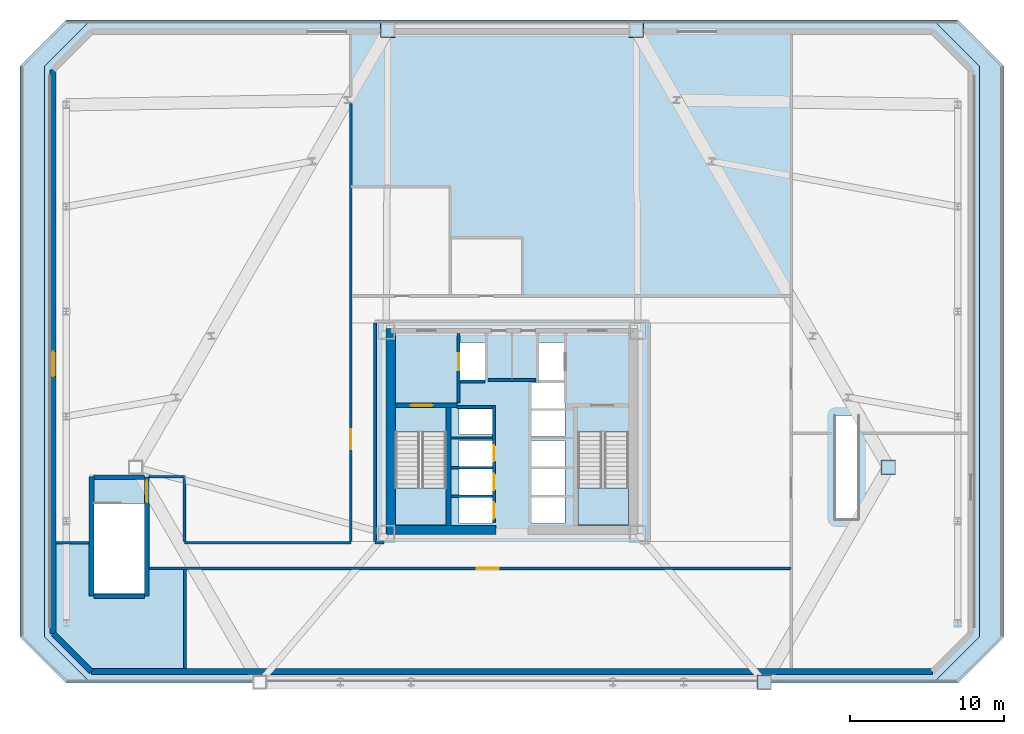
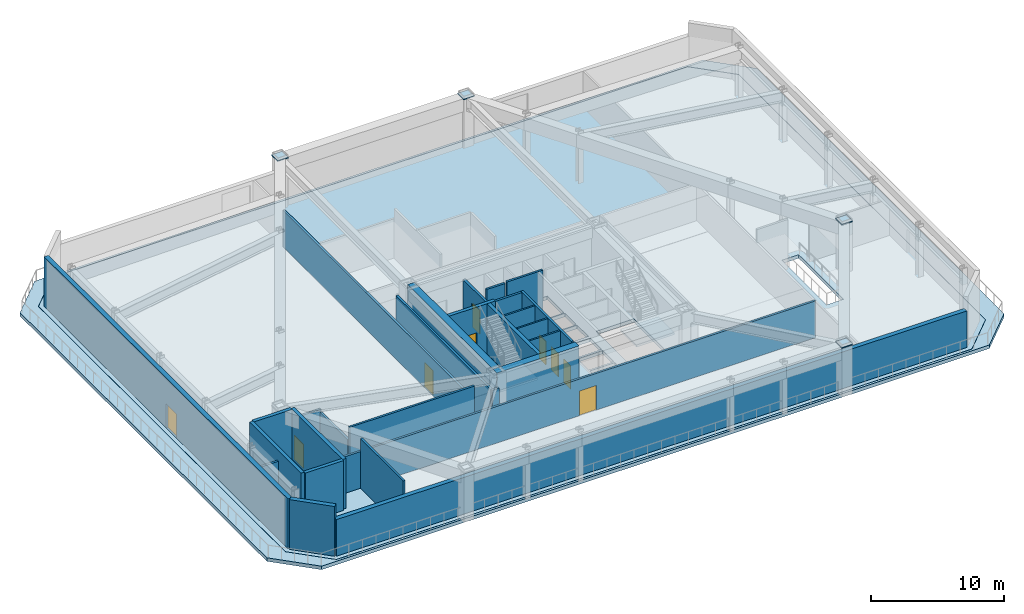
# One storey, part 2 of 10: 28 walls, 9 doors, 4 plates, 4 slabs, 9 openings, 2 elements without a shape of their own.
"""IFC4 building model written with IfcOpenShell, lengths in metres."""

from ifc_helpers import new_model, si_unit, direction, frame, frame_2d, origin, origin_2d, place, context, subcontext, project, spatial, polyline, rectangle, outline, extrude, material, layer, layer_set, type_object, element, fill, aggregate, save


model = new_model("IFC4")

# Units and contexts
model_context = context("Model", 3, precision=1e-05, world=origin(), true_north=direction((0.0, 1.0)))
body_context = subcontext(model_context, "Body", "Model", "MODEL_VIEW")
ifc_project = project(units=[si_unit("LENGTHUNIT", "METRE"), si_unit("AREAUNIT", "SQUARE_METRE"), si_unit("VOLUMEUNIT", "CUBIC_METRE"), si_unit("PLANEANGLEUNIT", "RADIAN"), si_unit("MASSUNIT", "GRAM", prefix="KILO")], contexts=[model_context])

# Site, building, storey
site_placement = place(None, origin())
site = spatial("IfcSite", under=ifc_project, at=site_placement, CompositionType="ELEMENT")
building_placement = place(site_placement, origin())
building = spatial("IfcBuilding", under=site, at=building_placement, Name="Oramaril Tower", CompositionType="ELEMENT")
storey_placement = place(building_placement, frame((0.0, 0.0, 22.5)))
storey = spatial("IfcBuildingStorey", under=building, at=storey_placement, Name="L05", CompositionType="ELEMENT", Elevation=22.5)

# Plates
ifc_material_1 = material(Name="Steel ASTM A572 Gr 50", Category="steel")
ifc_layer_1 = layer(ifc_material_1, 0.0849609375)
ifc_layer_set_1 = layer_set([ifc_layer_1], Name="PLT-C85")
plate_type = type_object("IfcPlateType", Name="PLT-C85", PredefinedType="USERDEFINED", material=ifc_layer_set_1)
for number, where, z_axis, x_axis, name in (
    (1, (53.862060546875, 1.360107421875, 4.47509765625), (0.0, 0.0, 1.0), (1.0, 0.0, 0.0), "L05 Column Cap Plate CP-03"),
    (2, (61.910400390625, 15.300048828125, 4.47509765625), (0.0, 0.0, 1.0), (1.0, 0.0, 0.0), "L05 Column Cap Plate CP-04"),
    (3, (45.548095703125, 43.639892578125, 4.47509765625), (0.0, 0.0, 1.0), (1.0, 0.0, 0.0), "L05 Column Cap Plate CP-05"),
    (4, (29.451904296875, 43.639892578125, 4.47509765625), (0.0, 0.0, 1.0), (1.0, 0.0, 0.0), "L05 Column Cap Plate CP-06"),
):
    element("IfcPlate", number, at=place(storey_placement, frame(where, z_axis=z_axis, x_axis=x_axis)), inside=storey, type_object=plate_type, Name=name, ObjectType="CAP", PredefinedType="USERDEFINED", context=body_context, shape_type="SweptSolid", body=[
        extrude(rectangle(XDim=0.93994140625, YDim=0.93994140625, at=origin_2d()), origin(), (0.0, 0.0, 1.0), 0.0849609375),
    ])

# Stair, slab
ifc_material_2 = material(Name="Concrete C50/60", Category="concrete")
stair_type = type_object("IfcStairType", Name="STT-DG-4800", PredefinedType="HALF_TURN_STAIR", material=ifc_material_2)
stair_1_placement = place(storey_placement, origin())
stair_1 = element("IfcStair", 5, at=stair_1_placement, inside=storey, type_object=stair_type, Name="L05 Protected PFP Exit Stair ST-1", PredefinedType="HALF_TURN_STAIR")
ifc_material_3 = material(Name="Concrete C50/60", Category="concrete")
ifc_layer_2 = layer(ifc_material_3, 0.199951171875)
ifc_layer_set_2 = layer_set([ifc_layer_2], Name="SLT-LND20")
slab_type_1 = type_object("IfcSlabType", Name="SLT-LND20", PredefinedType="LANDING", material=ifc_layer_set_2)
slab_1_placement = place(storey_placement, frame((0.0, 0.0, 2.199951171875)))
slab_1 = element("IfcSlab", 6, at=slab_1_placement, type_object=slab_type_1, Name="ST-1 landing 1", PredefinedType="LANDING", context=body_context, shape_type="SweptSolid", body=[
    extrude(outline(polyline([(29.949951171875, 13.949951171875), (29.949951171875, 11.550048828125), (33.219970703125, 11.550048828125), (33.219970703125, 13.949951171875), (29.949951171875, 13.949951171875)])), origin(), (0.0, 0.0, 1.0), 0.199951171875),
])
aggregate(stair_1, [slab_1])

stair_2_placement = place(storey_placement, origin())
stair_2 = element("IfcStair", 7, at=stair_2_placement, inside=storey, type_object=stair_type, Name="L05 Protected PFP Exit Stair ST-2", PredefinedType="HALF_TURN_STAIR")
slab_2_placement = place(storey_placement, frame((0.0, 0.0, 2.199951171875)))
slab_2 = element("IfcSlab", 8, at=slab_2_placement, type_object=slab_type_1, Name="ST-2 landing 1", PredefinedType="LANDING", context=body_context, shape_type="SweptSolid", body=[
    extrude(outline(polyline([(41.780029296875, 13.949951171875), (41.780029296875, 11.550048828125), (45.050048828125, 11.550048828125), (45.050048828125, 13.949951171875), (41.780029296875, 13.949951171875)])), origin(), (0.0, 0.0, 1.0), 0.199951171875),
])
aggregate(stair_2, [slab_2])

# Slabs
ifc_material_4 = material(Name="Concrete C50/60", Category="concrete")
ifc_layer_3 = layer(ifc_material_4, 0.320068359375)
ifc_layer_set_3 = layer_set([ifc_layer_3], Name="SLT-POD32")
slab_type_2 = type_object("IfcSlabType", Name="SLT-POD32", PredefinedType="FLOOR", material=ifc_layer_set_3)
slab_3_placement = place(storey_placement, frame((0.0, 0.0, -0.320068359375)))
element("IfcSlab", 9, at=slab_3_placement, inside=storey, type_object=slab_type_2, Name="L05 Structural Floor Slab", PredefinedType="FLOOR", context=body_context, shape_type="SweptSolid", body=[
    extrude(outline(polyline([(10.0, 1.5), (65.0, 1.5), (67.800048828125, 4.300048828125), (67.800048828125, 41.300048828125), (65.0, 44.10009765625), (10.0, 44.10009765625), (7.199951171875, 41.300048828125), (7.199951171875, 4.300048828125), (10.0, 1.5)]), holes=[polyline([(29.949951171875, 17.58935546875), (29.949951171875, 11.550048828125), (33.219970703125, 11.550048828125), (33.219970703125, 17.58935546875), (29.949951171875, 17.58935546875)]), polyline([(41.780029296875, 17.58935546875), (41.780029296875, 11.550048828125), (45.050048828125, 11.550048828125), (45.050048828125, 17.58935546875), (41.780029296875, 17.58935546875)]), polyline([(10.39990234375, 12.939453125), (10.39990234375, 7.10009765625), (13.669921875, 7.10009765625), (13.669921875, 12.939453125), (10.39990234375, 12.939453125)]), polyline([(58.47509765625, 11.949951171875), (59.925048828125, 11.949951171875), (59.925048828125, 18.66943359375), (58.47509765625, 18.66943359375), (58.47509765625, 11.949951171875)]), polyline([(34.110107421875, 20.909912109375), (35.7900390625, 20.909912109375), (35.7900390625, 23.389892578125), (34.110107421875, 23.389892578125), (34.110107421875, 20.909912109375)]), polyline([(39.2099609375, 20.909912109375), (40.889892578125, 20.909912109375), (40.889892578125, 23.389892578125), (39.2099609375, 23.389892578125), (39.2099609375, 20.909912109375)]), polyline([(34.06005859375, 11.659912109375), (36.239990234375, 11.659912109375), (36.239990234375, 13.340087890625), (34.06005859375, 13.340087890625), (34.06005859375, 11.659912109375)]), polyline([(34.06005859375, 13.510009765625), (36.239990234375, 13.510009765625), (36.239990234375, 15.18994140625), (34.06005859375, 15.18994140625), (34.06005859375, 13.510009765625)]), polyline([(34.06005859375, 15.360107421875), (36.239990234375, 15.360107421875), (36.239990234375, 17.0400390625), (34.06005859375, 17.0400390625), (34.06005859375, 15.360107421875)]), polyline([(38.760009765625, 11.659912109375), (40.93994140625, 11.659912109375), (40.93994140625, 13.340087890625), (38.760009765625, 13.340087890625), (38.760009765625, 11.659912109375)]), polyline([(38.760009765625, 13.510009765625), (40.93994140625, 13.510009765625), (40.93994140625, 15.18994140625), (38.760009765625, 15.18994140625), (38.760009765625, 13.510009765625)]), polyline([(38.760009765625, 15.360107421875), (40.93994140625, 15.360107421875), (40.93994140625, 17.0400390625), (38.760009765625, 17.0400390625), (38.760009765625, 15.360107421875)]), polyline([(34.06005859375, 17.409912109375), (36.239990234375, 17.409912109375), (36.239990234375, 19.090087890625), (34.06005859375, 19.090087890625), (34.06005859375, 17.409912109375)]), polyline([(38.760009765625, 17.31005859375), (40.93994140625, 17.31005859375), (40.93994140625, 18.989990234375), (38.760009765625, 18.989990234375), (38.760009765625, 17.31005859375)]), polyline([(38.760009765625, 19.110107421875), (40.93994140625, 19.110107421875), (40.93994140625, 20.7900390625), (38.760009765625, 20.7900390625), (38.760009765625, 19.110107421875)])]), origin(), (0.0, 0.0, 1.0), 0.320068359375),
])
ifc_material_5 = material(Name="Concrete C40/50", Category="concrete")
ifc_layer_4 = layer(ifc_material_5, 0.2099609375)
ifc_layer_set_4 = layer_set([ifc_layer_4], Name="SLT-TER21")
slab_type_3 = type_object("IfcSlabType", Name="SLT-TER21", PredefinedType="FLOOR", material=ifc_layer_set_4)
slab_4_placement = place(storey_placement, frame((0.0, 0.0, -0.320068359375)))
element("IfcSlab", 10, at=slab_4_placement, inside=storey, type_object=slab_type_3, Name="L05 Landscaped Podium Roof Terrace Deck 1", PredefinedType="FLOOR", context=body_context, shape_type="SweptSolid", body=[
    extrude(outline(polyline([(5.60009765625, 4.300048828125), (5.60009765625, 41.300048828125), (8.60009765625, 44.300048828125), (66.39990234375, 44.300048828125), (69.39990234375, 41.300048828125), (69.39990234375, 4.300048828125), (66.39990234375, 1.300048828125), (8.60009765625, 1.300048828125), (5.60009765625, 4.300048828125)]), holes=[polyline([(65.002197265625, 1.4951171875), (67.804931640625, 4.2978515625), (67.804931640625, 41.302001953125), (65.002197265625, 44.10498046875), (9.997802734375, 44.10498046875), (7.195068359375, 41.302001953125), (7.195068359375, 4.2978515625), (9.997802734375, 1.4951171875), (65.002197265625, 1.4951171875)])]), origin(), (0.0, 0.0, 1.0), 0.320068359375),
])

# Wall
ifc_material_6 = material(Name="Warm Cream Limestone", Category="masonry")
ifc_layer_5 = layer(ifc_material_6, 0.3798828125)
ifc_layer_set_5 = layer_set([ifc_layer_5], Name="WT-EXT38")
wall_type_1 = type_object("IfcWallType", Name="WT-EXT38", PredefinedType="SOLIDWALL", material=ifc_layer_set_5)
wall_1_placement = place(storey_placement, frame((10.227783203125, 2.050048828125, 0.0), z_axis=(0.0, 0.0, 1.0), x_axis=(1.0, 0.0, 0.0)))
element("IfcWall", 11, at=wall_1_placement, inside=storey, type_object=wall_type_1, Name="L05 Limestone Facade Wall EW-1M", PredefinedType="SOLIDWALL", context=body_context, shape_type="SweptSolid", body=[
    extrude(rectangle(XDim=54.54443359375, YDim=0.3798828125, at=frame_2d((27.272216796875, 0.0))), origin(), (0.0, 0.0, 1.0), 3.35009765625),
])

# Wall, opening, door
wall_2_placement = place(storey_placement, frame((7.75, 41.072265625, 0.0), z_axis=(0.0, 0.0, 1.0), x_axis=(0.0, -1.0, 0.0)))
wall_2 = element("IfcWall", 12, at=wall_2_placement, inside=storey, type_object=wall_type_1, Name="L05 Limestone Facade Wall EW-7M", PredefinedType="SOLIDWALL", context=body_context, shape_type="SweptSolid", body=[
    extrude(rectangle(XDim=36.54443359375, YDim=0.3798828125, at=frame_2d((18.272216796875, 0.0))), origin(), (0.0, 0.0, 1.0), 4.56005859375),
])
opening_1_placement = place(wall_2_placement, frame((18.272216796875, 0.0, 0.0)))
opening_1 = element("IfcOpeningElement", 13, at=opening_1_placement, cuts=wall_2, Name="Opening D-L05-T1", PredefinedType="OPENING", context=body_context, shape_type="SweptSolid", body=[
    extrude(rectangle(XDim=1.60009765625, YDim=2.199951171875, at=frame_2d((0.800048828125, 1.10009765625))), frame((0.0, 0.18994140625, 0.0), z_axis=(0.0, -1.0, 0.0), x_axis=(1.0, 0.0, 0.0)), (0.0, 0.0, 1.0), 0.3798828125),
])
ifc_material_7 = material(Name="Anodised Aluminium 6063-T6", Category="aluminium")
door_type_1 = type_object("IfcDoorType", Name="DT-TER", OperationType="NOTDEFINED", PredefinedType="DOOR", material=ifc_material_7)
door_1_placement = place(opening_1_placement, origin())
door_1 = element("IfcDoor", 14, at=door_1_placement, inside=storey, type_object=door_type_1, Name="L05 Podium Terrace Access Door 1", OperationType="SINGLE_SWING_LEFT", OverallHeight=2.199951171875, OverallWidth=1.60009765625, PredefinedType="DOOR", context=body_context, shape_type="SweptSolid", body=[
    extrude(rectangle(XDim=1.60009765625, YDim=2.199951171875, at=frame_2d((0.800048828125, 1.10009765625))), frame((0.0, 0.02490234375, 0.0), z_axis=(0.0, -1.0, 0.0), x_axis=(1.0, 0.0, 0.0)), (0.0, 0.0, 1.0), 0.050048828125),
])
fill(opening_1, door_1)

# Walls
wall_3_placement = place(storey_placement, frame((7.75, 4.52783203125, 0.0), z_axis=(0.0, 0.0, 1.0), x_axis=(0.707106781187, -0.707106781187, 0.0)))
element("IfcWall", 15, at=wall_3_placement, inside=storey, type_object=wall_type_1, Name="L05 Limestone Facade Wall EW-8M", PredefinedType="SOLIDWALL", context=body_context, shape_type="SweptSolid", body=[
    extrude(rectangle(XDim=3.504150390625, YDim=0.3798828125, at=frame_2d((1.751953125, 0.0))), origin(), (0.0, 0.0, 1.0), 4.56005859375),
])
ifc_material_8 = material(Name="Acoustic Gypsum Board Partition")
ifc_layer_6 = layer(ifc_material_8, 0.139892578125)
ifc_layer_set_6 = layer_set([ifc_layer_6], Name="WT-PT14")
wall_type_2 = type_object("IfcWallType", Name="WT-PT14", PredefinedType="PARTITIONING", material=ifc_layer_set_6)
for number, where, z_axis, x_axis, name in (
    (16, (33.56005859375, 13.419921875, 0.0), (0.0, 0.0, 1.0), (1.0, 0.0, 0.0), "L05 West Lift Divider"),
    (17, (33.56005859375, 15.27001953125, 0.0), (0.0, 0.0, 1.0), (1.0, 0.0, 0.0), "L05 West Lift Divider"),
    (18, (33.56005859375, 17.199951171875, 0.0), (0.0, 0.0, 1.0), (1.0, 0.0, 0.0), "L05 West Lift Divider"),
):
    element("IfcWall", number, at=place(storey_placement, frame(where, z_axis=z_axis, x_axis=x_axis)), inside=storey, type_object=wall_type_2, Name=name, PredefinedType="PARTITIONING", context=body_context, shape_type="SweptSolid", body=[
        extrude(rectangle(XDim=2.659912109375, YDim=0.139892578125, at=frame_2d((1.330078125, 0.0))), origin(), (0.0, 0.0, 1.0), 4.56005859375),
    ])
ifc_material_9 = material(Name="Autoclaved Cellular Concrete Block", Category="concrete")
ifc_layer_7 = layer(ifc_material_9, 0.179931640625)
ifc_layer_set_7 = layer_set([ifc_layer_7], Name="WT-PT18")
wall_type_3 = type_object("IfcWallType", Name="WT-PT18", PredefinedType="PARTITIONING", material=ifc_layer_set_7)
wall_4_placement = place(storey_placement, frame((34.159912109375, 20.860107421875, 0.0), z_axis=(0.0, 0.0, 1.0), x_axis=(1.0, 0.0, 0.0)))
element("IfcWall", 19, at=wall_4_placement, inside=storey, type_object=wall_type_3, Name="L05 FL-1 South Shaft Wall", PredefinedType="PARTITIONING", context=body_context, shape_type="SweptSolid", body=[
    extrude(rectangle(XDim=1.580078125, YDim=0.179931640625, at=frame_2d((0.7900390625, 0.0))), origin(), (0.0, 0.0, 1.0), 4.56005859375),
])
wall_5_placement = place(storey_placement, frame((33.949951171875, 19.199951171875, 0.0), z_axis=(0.0, 0.0, 1.0), x_axis=(1.0, 0.0, 0.0)))
element("IfcWall", 20, at=wall_5_placement, inside=storey, type_object=wall_type_3, Name="L05 High-Rise Lift H1 North Shaft Wall", PredefinedType="PARTITIONING", context=body_context, shape_type="SweptSolid", body=[
    extrude(rectangle(XDim=2.27001953125, YDim=0.179931640625, at=frame_2d((1.135009765625, 0.0))), origin(), (0.0, 0.0, 1.0), 4.56005859375),
])
wall_6_placement = place(storey_placement, frame((35.949951171875, 20.949951171875, 0.0), z_axis=(0.0, 0.0, 1.0), x_axis=(1.0, 0.0, 0.0)))
element("IfcWall", 21, at=wall_6_placement, inside=storey, type_object=wall_type_3, Name="L05 Lift Lobby North Partition", PredefinedType="PARTITIONING", context=body_context, shape_type="SweptSolid", body=[
    extrude(rectangle(XDim=3.10009765625, YDim=0.179931640625, at=frame_2d((1.550048828125, 0.0))), origin(), (0.0, 0.0, 1.0), 4.56005859375),
])

# Wall, opening, door
wall_7_placement = place(storey_placement, frame((13.989990234375, 8.75, 0.0), z_axis=(0.0, 0.0, 1.0), x_axis=(1.0, 0.0, 0.0)))
wall_7 = element("IfcWall", 22, at=wall_7_placement, inside=storey, type_object=wall_type_3, Name="L05 Interior Partition PT-18", PredefinedType="PARTITIONING", context=body_context, shape_type="SweptSolid", body=[
    extrude(rectangle(XDim=41.610107421875, YDim=0.179931640625, at=frame_2d((20.80517578125, 0.0))), origin(), (0.0, 0.0, 1.0), 3.35009765625),
])
opening_2_placement = place(wall_7_placement, frame((21.208984375, 0.0, 0.0)))
opening_2 = element("IfcOpeningElement", 23, at=opening_2_placement, cuts=wall_7, Name="Opening D-L05-01", PredefinedType="OPENING", context=body_context, shape_type="SweptSolid", body=[
    extrude(rectangle(XDim=1.449951171875, YDim=2.25, at=frame_2d((0.72509765625, 1.125))), frame((0.0, 0.08984375, 0.0), z_axis=(0.0, -1.0, 0.0), x_axis=(1.0, 0.0, 0.0)), (0.0, 0.0, 1.0), 0.179931640625),
])
ifc_material_10 = material(Name="Painted Galvanised Steel", Category="steel")
door_type_2 = type_object("IfcDoorType", Name="DT-PLT", OperationType="NOTDEFINED", PredefinedType="DOOR", material=ifc_material_10)
door_2_placement = place(opening_2_placement, origin())
door_2 = element("IfcDoor", 24, at=door_2_placement, inside=storey, type_object=door_type_2, Name="L05 L05 Transfer Mechanical Plant Room Door D-L05-01", OperationType="SINGLE_SWING_LEFT", OverallHeight=2.25, OverallWidth=1.449951171875, PredefinedType="DOOR", context=body_context, shape_type="SweptSolid", body=[
    extrude(rectangle(XDim=1.449951171875, YDim=2.25, at=frame_2d((0.72509765625, 1.125))), frame((0.0, 0.02490234375, 0.0), z_axis=(0.0, -1.0, 0.0), x_axis=(1.0, 0.0, 0.0)), (0.0, 0.0, 1.0), 0.050048828125),
])
fill(opening_2, door_2)

# Walls
wall_8_placement = place(storey_placement, frame((7.944091796875, 10.39990234375, 0.0), z_axis=(0.0, 0.0, 1.0), x_axis=(1.0, 0.0, 0.0)))
element("IfcWall", 25, at=wall_8_placement, inside=storey, type_object=wall_type_3, Name="L05 Interior Partition PT-18", PredefinedType="PARTITIONING", context=body_context, shape_type="SweptSolid", body=[
    extrude(rectangle(XDim=2.135986328125, YDim=0.179931640625, at=frame_2d((1.06787109375, 0.0))), origin(), (0.0, 0.0, 1.0), 3.623046875),
])
wall_9_placement = place(storey_placement, frame((16.25, 10.39990234375, 0.0), z_axis=(0.0, 0.0, 1.0), x_axis=(1.0, 0.0, 0.0)))
element("IfcWall", 26, at=wall_9_placement, inside=storey, type_object=wall_type_3, Name="L05 Interior Partition PT-18", PredefinedType="PARTITIONING", context=body_context, shape_type="SweptSolid", body=[
    extrude(rectangle(XDim=10.800048828125, YDim=0.179931640625, at=frame_2d((5.39990234375, 0.0))), origin(), (0.0, 0.0, 1.0), 4.56005859375),
])
wall_10_placement = place(storey_placement, frame((28.6201171875, 10.39990234375, 0.0), z_axis=(0.0, 0.0, 1.0), x_axis=(1.0, 0.0, 0.0)))
element("IfcWall", 27, at=wall_10_placement, inside=storey, type_object=wall_type_3, Name="L05 Interior Partition PT-18", PredefinedType="PARTITIONING", context=body_context, shape_type="SweptSolid", body=[
    extrude(rectangle(XDim=0.579833984375, YDim=0.179931640625, at=frame_2d((0.2900390625, 0.0))), origin(), (0.0, 0.0, 1.0), 3.623046875),
])
wall_11_placement = place(storey_placement, frame((13.989990234375, 14.679931640625, 0.0), z_axis=(0.0, 0.0, 1.0), x_axis=(1.0, 0.0, 0.0)))
element("IfcWall", 28, at=wall_11_placement, inside=storey, type_object=wall_type_3, Name="L05 Interior Partition PT-18", PredefinedType="PARTITIONING", context=body_context, shape_type="SweptSolid", body=[
    extrude(rectangle(XDim=2.260009765625, YDim=0.179931640625, at=frame_2d((1.1298828125, 0.0))), origin(), (0.0, 0.0, 1.0), 3.623046875),
])
wall_12_placement = place(storey_placement, frame((16.25, 10.493896484375, 0.0), z_axis=(0.0, 0.0, 1.0), x_axis=(0.0, 1.0, 0.0)))
element("IfcWall", 29, at=wall_12_placement, inside=storey, type_object=wall_type_3, Name="L05 Interior Partition PT-18", PredefinedType="PARTITIONING", context=body_context, shape_type="SweptSolid", body=[
    extrude(rectangle(XDim=4.092041015625, YDim=0.179931640625, at=frame_2d((2.0458984375, 0.0))), origin(), (0.0, 0.0, 1.0), 3.35009765625),
])
wall_13_placement = place(storey_placement, frame((16.300048828125, 2.243896484375, 0.0), z_axis=(0.0, 0.0, 1.0), x_axis=(0.0, 1.0, 0.0)))
element("IfcWall", 30, at=wall_13_placement, inside=storey, type_object=wall_type_3, Name="L05 Interior Partition PT-18", PredefinedType="PARTITIONING", context=body_context, shape_type="SweptSolid", body=[
    extrude(rectangle(XDim=6.412109375, YDim=0.179931640625, at=frame_2d((3.2060546875, 0.0))), origin(), (0.0, 0.0, 1.0), 4.56005859375),
])

# Wall, opening, door
wall_14_placement = place(storey_placement, frame((27.050048828125, 10.493896484375, 0.0), z_axis=(0.0, 0.0, 1.0), x_axis=(0.0, 1.0, 0.0)))
wall_14 = element("IfcWall", 31, at=wall_14_placement, inside=storey, type_object=wall_type_3, Name="L05 Interior Partition PT-18", PredefinedType="PARTITIONING", context=body_context, shape_type="SweptSolid", body=[
    extrude(rectangle(XDim=28.3857421875, YDim=0.179931640625, at=frame_2d((14.19287109375, 0.0))), origin(), (0.0, 0.0, 1.0), 3.35009765625),
])
opening_3_placement = place(wall_14_placement, frame((5.9853515625, 0.0, 0.0)))
opening_3 = element("IfcOpeningElement", 32, at=opening_3_placement, cuts=wall_14, Name="Opening D-L05-04", PredefinedType="OPENING", context=body_context, shape_type="SweptSolid", body=[
    extrude(rectangle(XDim=1.300048828125, YDim=2.199951171875, at=frame_2d((0.64990234375, 1.10009765625))), frame((0.0, 0.08984375, 0.0), z_axis=(0.0, -1.0, 0.0), x_axis=(1.0, 0.0, 0.0)), (0.0, 0.0, 1.0), 0.179931640625),
])
ifc_material_11 = material(Name="FSC Brazilian Freijo Hardwood", Category="wood")
door_type_3 = type_object("IfcDoorType", Name="DT-COM", OperationType="NOTDEFINED", PredefinedType="DOOR", material=ifc_material_11)
door_3_placement = place(opening_3_placement, origin())
door_3 = element("IfcDoor", 33, at=door_3_placement, inside=storey, type_object=door_type_3, Name="L05 L05 Podium Roof Terrace Club Lounge Door D-L05-04", OperationType="SINGLE_SWING_RIGHT", OverallHeight=2.199951171875, OverallWidth=1.300048828125, PredefinedType="DOOR", context=body_context, shape_type="SweptSolid", body=[
    extrude(rectangle(XDim=1.300048828125, YDim=2.199951171875, at=frame_2d((0.64990234375, 1.10009765625))), frame((0.0, 0.02490234375, 0.0), z_axis=(0.0, -1.0, 0.0), x_axis=(1.0, 0.0, 0.0)), (0.0, 0.0, 1.0), 0.050048828125),
])
fill(opening_3, door_3)

# Wall
wall_15_placement = place(storey_placement, frame((28.6201171875, 10.493896484375, 0.0), z_axis=(0.0, 0.0, 1.0), x_axis=(0.0, 1.0, 0.0)))
element("IfcWall", 34, at=wall_15_placement, inside=storey, type_object=wall_type_3, Name="L05 Interior Partition PT-18", PredefinedType="PARTITIONING", context=body_context, shape_type="SweptSolid", body=[
    extrude(rectangle(XDim=14.162109375, YDim=0.179931640625, at=frame_2d((7.0810546875, 0.0))), origin(), (0.0, 0.0, 1.0), 3.623046875),
])

# Wall, opening, door
ifc_material_12 = material(Name="Concrete C50/60", Category="concrete")
ifc_layer_8 = layer(ifc_material_12, 0.300048828125)
ifc_layer_set_8 = layer_set([ifc_layer_8], Name="WT-SH30")
wall_type_4 = type_object("IfcWallType", Name="WT-SH30", PredefinedType="SHEAR", material=ifc_layer_set_8)
wall_16_placement = place(storey_placement, frame((29.93994140625, 19.31005859375, 0.0), z_axis=(0.0, 0.0, 1.0), x_axis=(1.0, 0.0, 0.0)))
wall_16 = element("IfcWall", 35, at=wall_16_placement, inside=storey, type_object=wall_type_4, Name="L05 Core Shear Wall CW-ST1N", PredefinedType="SHEAR", context=body_context, shape_type="SweptSolid", body=[
    extrude(rectangle(XDim=4.010009765625, YDim=0.300048828125, at=frame_2d((2.0048828125, 0.0))), origin(), (0.0, 0.0, 1.0), 4.56005859375),
])
opening_4_placement = place(wall_16_placement, frame((1.010009765625, 0.0, 0.0)))
opening_4 = element("IfcOpeningElement", 36, at=opening_4_placement, cuts=wall_16, Name="Opening D-L05-ST1", PredefinedType="OPENING", context=body_context, shape_type="SweptSolid", body=[
    extrude(rectangle(XDim=1.39990234375, YDim=2.199951171875, at=frame_2d((0.699951171875, 1.10009765625))), frame((0.0, 0.14990234375, 0.0), z_axis=(0.0, -1.0, 0.0), x_axis=(1.0, 0.0, 0.0)), (0.0, 0.0, 1.0), 0.300048828125),
])
ifc_material_13 = material(Name="Painted Galvanised Steel", Category="steel")
door_type_4 = type_object("IfcDoorType", Name="DT-ST", OperationType="NOTDEFINED", PredefinedType="DOOR", material=ifc_material_13)
door_4_placement = place(opening_4_placement, origin())
door_4 = element("IfcDoor", 37, at=door_4_placement, inside=storey, type_object=door_type_4, Name="L05 Protected Stair ST-1 Fire Door", OperationType="SINGLE_SWING_LEFT", OverallHeight=2.199951171875, OverallWidth=1.39990234375, PredefinedType="DOOR", context=body_context, shape_type="SweptSolid", body=[
    extrude(rectangle(XDim=1.39990234375, YDim=2.199951171875, at=frame_2d((0.699951171875, 1.10009765625))), frame((0.0, 0.02490234375, 0.0), z_axis=(0.0, -1.0, 0.0), x_axis=(1.0, 0.0, 0.0)), (0.0, 0.0, 1.0), 0.050048828125),
])
fill(opening_4, door_4)

# Walls
wall_17_placement = place(storey_placement, frame((33.3798828125, 11.5400390625, 0.0), z_axis=(0.0, 0.0, 1.0), x_axis=(0.0, 1.0, 0.0)))
element("IfcWall", 38, at=wall_17_placement, inside=storey, type_object=wall_type_4, Name="L05 Core Shear Wall CW-ST1E", PredefinedType="SHEAR", context=body_context, shape_type="SweptSolid", body=[
    extrude(rectangle(XDim=7.619873046875, YDim=0.300048828125, at=frame_2d((3.81005859375, 0.0))), origin(), (0.0, 0.0, 1.0), 4.56005859375),
])
wall_18_placement = place(storey_placement, frame((10.239990234375, 6.93994140625, 0.0), z_axis=(0.0, 0.0, 1.0), x_axis=(0.0, 1.0, 0.0)))
element("IfcWall", 39, at=wall_18_placement, inside=storey, type_object=wall_type_4, Name="L05 Stair ST-3 Shear Wall ST3W", PredefinedType="SHEAR", context=body_context, shape_type="SweptSolid", body=[
    extrude(rectangle(XDim=7.719970703125, YDim=0.300048828125, at=frame_2d((3.85986328125, 0.0))), origin(), (0.0, 0.0, 1.0), 4.56005859375),
])

# Wall, opening, door
wall_19_placement = place(storey_placement, frame((13.830078125, 6.93994140625, 0.0), z_axis=(0.0, 0.0, 1.0), x_axis=(0.0, 1.0, 0.0)))
wall_19 = element("IfcWall", 40, at=wall_19_placement, inside=storey, type_object=wall_type_4, Name="L05 Stair ST-3 Shear Wall ST3E", PredefinedType="SHEAR", context=body_context, shape_type="SweptSolid", body=[
    extrude(rectangle(XDim=7.719970703125, YDim=0.300048828125, at=frame_2d((3.85986328125, 0.0))), origin(), (0.0, 0.0, 1.0), 4.56005859375),
])
opening_5_placement = place(wall_19_placement, frame((6.080078125, 0.0, 0.0)))
opening_5 = element("IfcOpeningElement", 41, at=opening_5_placement, cuts=wall_19, Name="Opening D-L05-ST3", PredefinedType="OPENING", context=body_context, shape_type="SweptSolid", body=[
    extrude(rectangle(XDim=1.39990234375, YDim=2.199951171875, at=frame_2d((0.699951171875, 1.10009765625))), frame((0.0, 0.14990234375, 0.0), z_axis=(0.0, -1.0, 0.0), x_axis=(1.0, 0.0, 0.0)), (0.0, 0.0, 1.0), 0.300048828125),
])
door_5_placement = place(opening_5_placement, origin())
door_5 = element("IfcDoor", 42, at=door_5_placement, inside=storey, type_object=door_type_4, Name="L05 Stair ST-3 Protected Door", OperationType="SINGLE_SWING_RIGHT", OverallHeight=2.199951171875, OverallWidth=1.39990234375, PredefinedType="DOOR", context=body_context, shape_type="SweptSolid", body=[
    extrude(rectangle(XDim=1.39990234375, YDim=2.199951171875, at=frame_2d((0.699951171875, 1.10009765625))), frame((0.0, 0.02490234375, 0.0), z_axis=(0.0, -1.0, 0.0), x_axis=(1.0, 0.0, 0.0)), (0.0, 0.0, 1.0), 0.050048828125),
])
fill(opening_5, door_5)

# Walls
for number, where, z_axis, x_axis, name in (
    (43, (10.389892578125, 6.93994140625, 0.0), (0.0, 0.0, 1.0), (1.0, 0.0, 0.0), "L05 Stair ST-3 Shear Wall ST3S"),
    (44, (10.389892578125, 14.659912109375, 0.0), (0.0, 0.0, 1.0), (1.0, 0.0, 0.0), "L05 Stair ST-3 Shear Wall ST3N"),
):
    element("IfcWall", number, at=place(storey_placement, frame(where, z_axis=z_axis, x_axis=x_axis)), inside=storey, type_object=wall_type_4, Name=name, PredefinedType="SHEAR", context=body_context, shape_type="SweptSolid", body=[
        extrude(rectangle(XDim=3.2900390625, YDim=0.300048828125, at=frame_2d((1.64501953125, 0.0))), origin(), (0.0, 0.0, 1.0), 4.56005859375),
    ])
ifc_material_14 = material(Name="Concrete C50/60", Category="concrete")
ifc_layer_9 = layer(ifc_material_14, 0.60009765625)
ifc_layer_set_9 = layer_set([ifc_layer_9], Name="WT-SH60")
wall_type_5 = type_object("IfcWallType", Name="WT-SH60", PredefinedType="SHEAR", material=ifc_layer_set_9)
wall_20_placement = place(storey_placement, frame((29.639892578125, 11.0, 0.0), z_axis=(0.0, 0.0, 1.0), x_axis=(0.0, 1.0, 0.0)))
element("IfcWall", 45, at=wall_20_placement, inside=storey, type_object=wall_type_5, Name="L05 Core Shear Wall CW-W", PredefinedType="SHEAR", context=body_context, shape_type="SweptSolid", body=[
    extrude(rectangle(XDim=13.300048828125, YDim=0.60009765625, at=frame_2d((6.64990234375, 0.0))), origin(), (0.0, 0.0, 1.0), 4.56005859375),
])
wall_21_placement = place(storey_placement, frame((29.35009765625, 11.239990234375, 0.0), z_axis=(0.0, 0.0, 1.0), x_axis=(1.0, 0.0, 0.0)))
element("IfcWall", 46, at=wall_21_placement, inside=storey, type_object=wall_type_5, Name="L05 Core Shear Wall CW-SW", PredefinedType="SHEAR", context=body_context, shape_type="SweptSolid", body=[
    extrude(rectangle(XDim=7.099853515625, YDim=0.60009765625, at=frame_2d((3.5498046875, 0.0))), origin(), (0.0, 0.0, 1.0), 4.56005859375),
])

# Wall, opening, door
ifc_material_15 = material(Name="Autoclaved Cellular Concrete Block", Category="concrete")
ifc_layer_10 = layer(ifc_material_15, 0.199951171875)
ifc_layer_set_10 = layer_set([ifc_layer_10], Name="WT-SHF20")
wall_type_6 = type_object("IfcWallType", Name="WT-SHF20", PredefinedType="PARTITIONING", material=ifc_layer_set_10)
wall_22_placement = place(storey_placement, frame((34.0400390625, 19.47998046875, 0.0), z_axis=(0.0, 0.0, 1.0), x_axis=(0.0, 1.0, 0.0)))
wall_22 = element("IfcWall", 47, at=wall_22_placement, inside=storey, type_object=wall_type_6, Name="L05 FL-1 Lobby Shaft Wall", PredefinedType="PARTITIONING", context=body_context, shape_type="SweptSolid", body=[
    extrude(rectangle(XDim=4.5, YDim=0.199951171875, at=frame_2d((2.25, 0.0))), origin(), (0.0, 0.0, 1.0), 3.60009765625),
])
opening_6_placement = place(wall_22_placement, frame((2.1201171875, 0.0, 0.0)))
opening_6 = element("IfcOpeningElement", 48, at=opening_6_placement, cuts=wall_22, Name="Opening LD-L05-FL-1", PredefinedType="OPENING", context=body_context, shape_type="SweptSolid", body=[
    extrude(rectangle(XDim=1.10009765625, YDim=2.199951171875, at=frame_2d((0.550048828125, 1.10009765625))), frame((0.0, 0.10009765625, 0.0), z_axis=(0.0, -1.0, 0.0), x_axis=(1.0, 0.0, 0.0)), (0.0, 0.0, 1.0), 0.199951171875),
])
ifc_material_16 = material(Name="Stainless Steel 316L", Category="steel")
door_type_5 = type_object("IfcDoorType", Name="DT-LD1", OperationType="NOTDEFINED", PredefinedType="DOOR", material=ifc_material_16)
door_6_placement = place(opening_6_placement, origin())
door_6 = element("IfcDoor", 49, at=door_6_placement, inside=storey, type_object=door_type_5, Name="L05 Lift FL-1 Sliding Landing Door", OperationType="SLIDING_TO_LEFT", OverallHeight=2.199951171875, OverallWidth=1.10009765625, PredefinedType="DOOR", context=body_context, shape_type="SweptSolid", body=[
    extrude(rectangle(XDim=1.10009765625, YDim=2.199951171875, at=frame_2d((0.550048828125, 1.10009765625))), frame((0.0, 0.02490234375, 0.0), z_axis=(0.0, -1.0, 0.0), x_axis=(1.0, 0.0, 0.0)), (0.0, 0.0, 1.0), 0.050048828125),
])
fill(opening_6, door_6)

# Wall, openings, doors
wall_23_placement = place(storey_placement, frame((36.340087890625, 11.719970703125, 0.0), z_axis=(0.0, 0.0, 1.0), x_axis=(0.0, 1.0, 0.0)))
wall_23 = element("IfcWall", 50, at=wall_23_placement, inside=storey, type_object=wall_type_6, Name="L05 West Lift Bank Front Wall", PredefinedType="PARTITIONING", context=body_context, shape_type="SweptSolid", body=[
    extrude(rectangle(XDim=7.60009765625, YDim=0.199951171875, at=frame_2d((3.800048828125, 0.0))), origin(), (0.0, 0.0, 1.0), 4.56005859375),
])
opening_7_placement = place(wall_23_placement, frame((0.2548828125, 0.0, 0.0)))
opening_7 = element("IfcOpeningElement", 51, at=opening_7_placement, cuts=wall_23, Name="Opening LD-L05-LP-L1", PredefinedType="OPENING", context=body_context, shape_type="SweptSolid", body=[
    extrude(rectangle(XDim=1.050048828125, YDim=2.14990234375, at=frame_2d((0.52490234375, 1.074951171875))), frame((0.0, 0.10009765625, 0.0), z_axis=(0.0, -1.0, 0.0), x_axis=(1.0, 0.0, 0.0)), (0.0, 0.0, 1.0), 0.199951171875),
])
opening_8_placement = place(wall_23_placement, frame((2.10498046875, 0.0, 0.0)))
opening_8 = element("IfcOpeningElement", 52, at=opening_8_placement, cuts=wall_23, Name="Opening LD-L05-LP-L2", PredefinedType="OPENING", context=body_context, shape_type="SweptSolid", body=[
    extrude(rectangle(XDim=1.050048828125, YDim=2.14990234375, at=frame_2d((0.52490234375, 1.074951171875))), frame((0.0, 0.10009765625, 0.0), z_axis=(0.0, -1.0, 0.0), x_axis=(1.0, 0.0, 0.0)), (0.0, 0.0, 1.0), 0.199951171875),
])
opening_9_placement = place(wall_23_placement, frame((3.955078125, 0.0, 0.0)))
opening_9 = element("IfcOpeningElement", 53, at=opening_9_placement, cuts=wall_23, Name="Opening LD-L05-LP-L3", PredefinedType="OPENING", context=body_context, shape_type="SweptSolid", body=[
    extrude(rectangle(XDim=1.050048828125, YDim=2.14990234375, at=frame_2d((0.52490234375, 1.074951171875))), frame((0.0, 0.10009765625, 0.0), z_axis=(0.0, -1.0, 0.0), x_axis=(1.0, 0.0, 0.0)), (0.0, 0.0, 1.0), 0.199951171875),
])
ifc_material_17 = material(Name="Stainless Steel 316L", Category="steel")
door_type_6 = type_object("IfcDoorType", Name="DT-LD2", OperationType="NOTDEFINED", PredefinedType="DOOR", material=ifc_material_17)
door_7_placement = place(opening_7_placement, origin())
door_7 = element("IfcDoor", 54, at=door_7_placement, inside=storey, type_object=door_type_6, Name="L05 Lift LP-L1 Sliding Landing Door", OperationType="SLIDING_TO_LEFT", OverallHeight=2.14990234375, OverallWidth=1.050048828125, PredefinedType="DOOR", context=body_context, shape_type="SweptSolid", body=[
    extrude(rectangle(XDim=1.050048828125, YDim=2.14990234375, at=frame_2d((0.52490234375, 1.074951171875))), frame((0.0, 0.02490234375, 0.0), z_axis=(0.0, -1.0, 0.0), x_axis=(1.0, 0.0, 0.0)), (0.0, 0.0, 1.0), 0.050048828125),
])
fill(opening_7, door_7)
door_8_placement = place(opening_8_placement, origin())
door_8 = element("IfcDoor", 55, at=door_8_placement, inside=storey, type_object=door_type_6, Name="L05 Lift LP-L2 Sliding Landing Door", OperationType="SLIDING_TO_RIGHT", OverallHeight=2.14990234375, OverallWidth=1.050048828125, PredefinedType="DOOR", context=body_context, shape_type="SweptSolid", body=[
    extrude(rectangle(XDim=1.050048828125, YDim=2.14990234375, at=frame_2d((0.52490234375, 1.074951171875))), frame((0.0, 0.02490234375, 0.0), z_axis=(0.0, -1.0, 0.0), x_axis=(1.0, 0.0, 0.0)), (0.0, 0.0, 1.0), 0.050048828125),
])
fill(opening_8, door_8)
door_9_placement = place(opening_9_placement, origin())
door_9 = element("IfcDoor", 56, at=door_9_placement, inside=storey, type_object=door_type_6, Name="L05 Lift LP-L3 Sliding Landing Door", OperationType="SLIDING_TO_LEFT", OverallHeight=2.14990234375, OverallWidth=1.050048828125, PredefinedType="DOOR", context=body_context, shape_type="SweptSolid", body=[
    extrude(rectangle(XDim=1.050048828125, YDim=2.14990234375, at=frame_2d((0.52490234375, 1.074951171875))), frame((0.0, 0.02490234375, 0.0), z_axis=(0.0, -1.0, 0.0), x_axis=(1.0, 0.0, 0.0)), (0.0, 0.0, 1.0), 0.050048828125),
])
fill(opening_9, door_9)

save(model, "model.ifc")
